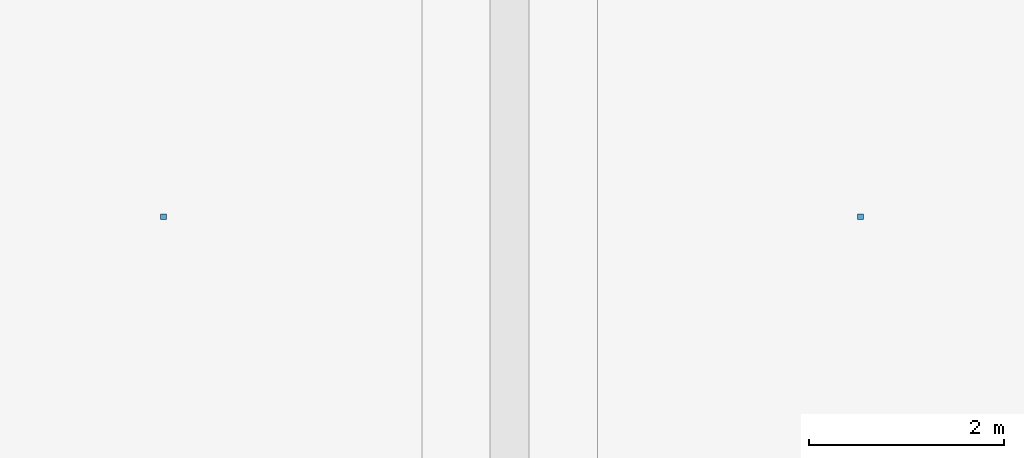
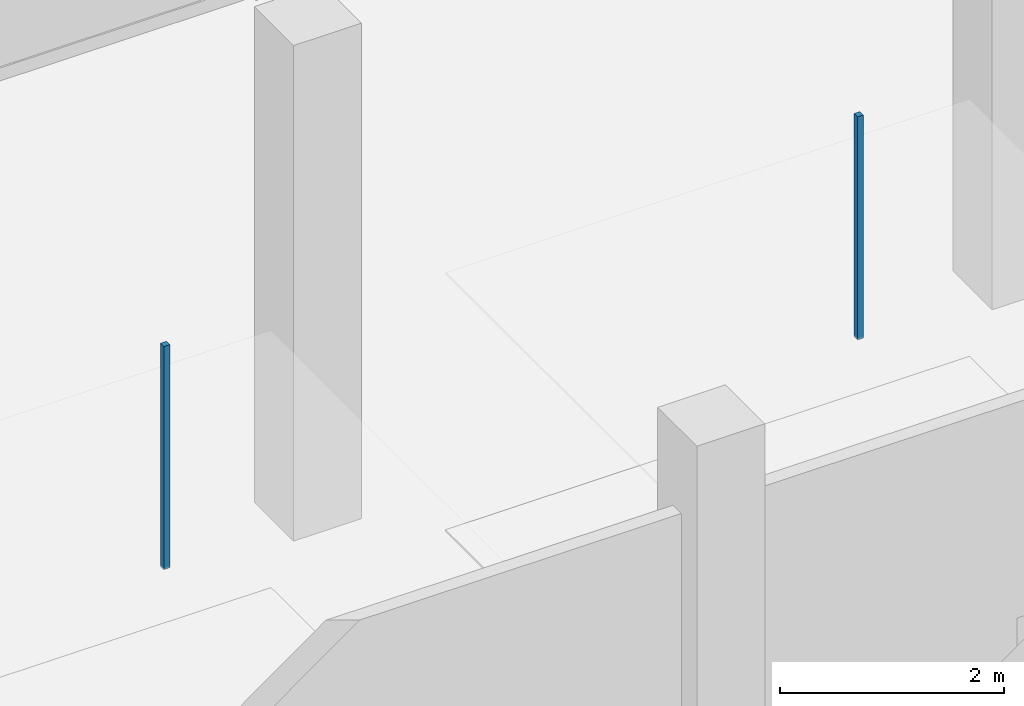
# One storey, part 75 of 90: 2 discrete accessories.
"""IFC4 building model written with IfcOpenShell, lengths in metres."""

from ifc_helpers import new_model, si_unit, direction, frame, origin, origin_2d, place, context, subcontext, project, spatial, rectangle, extrude, material, type_object, element, save


model = new_model("IFC4")

# Units and contexts
model_context = context("Model", 3, precision=1e-05, world=origin(), true_north=direction((0.0, 1.0)))
body_context = subcontext(model_context, "Body", "Model", "MODEL_VIEW")
ifc_project = project(units=[si_unit("LENGTHUNIT", "METRE"), si_unit("AREAUNIT", "SQUARE_METRE"), si_unit("VOLUMEUNIT", "CUBIC_METRE"), si_unit("PLANEANGLEUNIT", "RADIAN"), si_unit("MASSUNIT", "GRAM", prefix="KILO")], contexts=[model_context])

# Site, building, storey
site_placement = place(None, origin())
site = spatial("IfcSite", under=ifc_project, at=site_placement, CompositionType="ELEMENT")
building_placement = place(site_placement, origin())
building = spatial("IfcBuilding", under=site, at=building_placement, Name="Kangsadwip Square Police Headquarters", CompositionType="ELEMENT")
storey_placement = place(building_placement, origin())
storey = spatial("IfcBuildingStorey", under=building, at=storey_placement, Name="L00", CompositionType="ELEMENT", Elevation=0.0)

# Discrete accessories
ifc_material = material(Name="Structural steel IS 2062 E350 (Grade 350, 350 MPa)", Category="steel")
discrete_accessory_type = type_object("IfcDiscreteAccessoryType", Name="VeilOutriggerBracket", PredefinedType="BRACKET", material=ifc_material)
for number, where, z_axis, x_axis, name in (
    (1, (3.64990234375, 104.39990234375, 2.81005859375), (0.0, 0.0, 1.0), (1.0, 0.0, 0.0), "Ceiling Suspension Hanger L00-001"),
    (2, (10.800048828125, 104.39990234375, 2.81005859375), (0.0, 0.0, 1.0), (1.0, 0.0, 0.0), "Ceiling Suspension Hanger L00-002"),
):
    element("IfcDiscreteAccessory", number, at=place(storey_placement, frame(where, z_axis=z_axis, x_axis=x_axis)), inside=storey, type_object=discrete_accessory_type, Name=name, PredefinedType="BRACKET", context=body_context, shape_type="SweptSolid", body=[
        extrude(rectangle(XDim=0.06005859375, YDim=0.06005859375, at=origin_2d()), origin(), (0.0, 0.0, 1.0), 2.429931640625),
    ])

save(model, "model.ifc")
